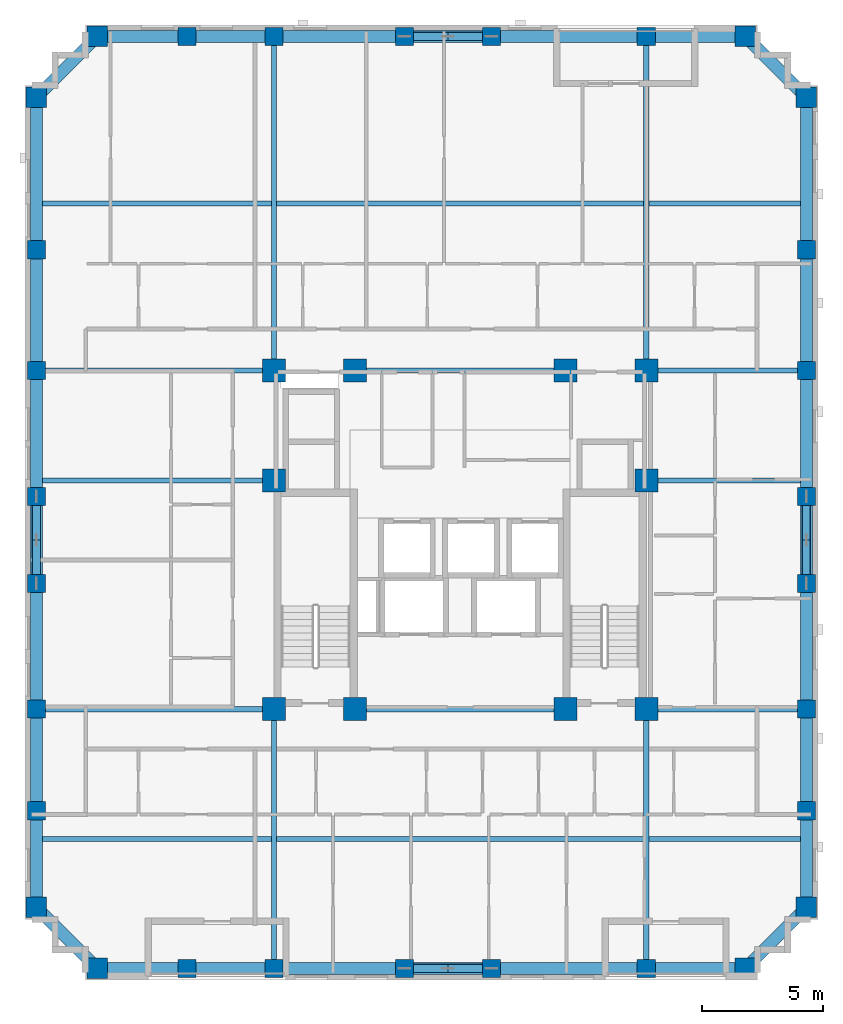
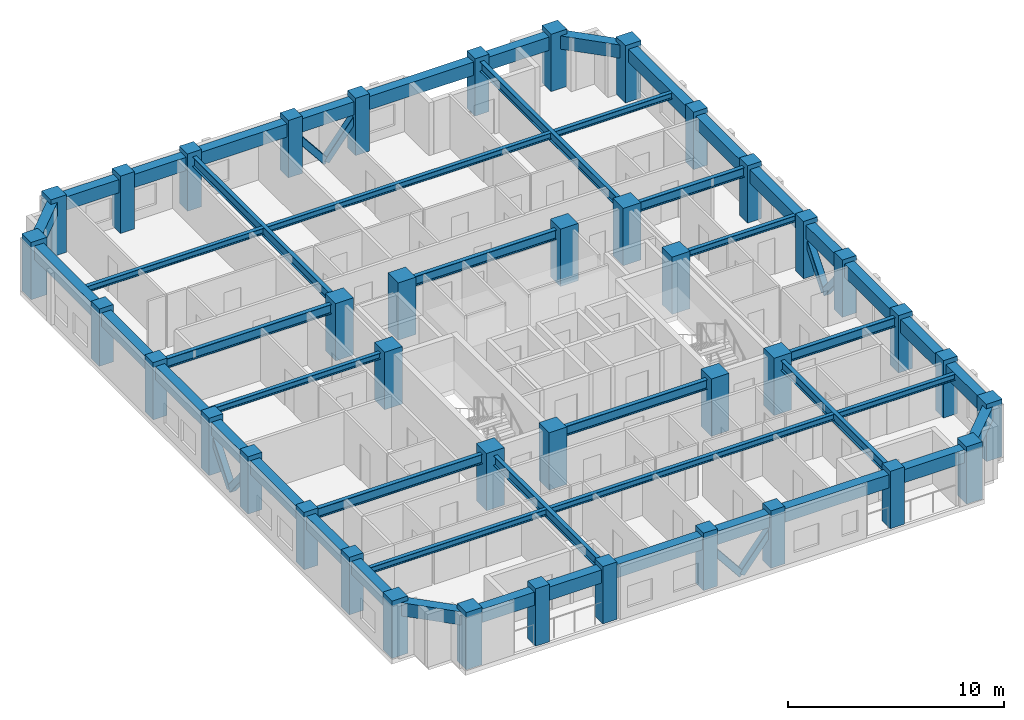
# One storey, part 1 of 11: 48 beams, 40 columns, 8 members.
"""IFC4 building model written with IfcOpenShell, lengths in metres."""

import ifcopenshell
import ifcopenshell.guid

model = None  # the IFC model being written
_history = None  # IfcOwnerHistory: only IFC2X3 demands one
_inside = {}  # id of a spatial element -> (the spatial element, [elements in it])
_under = {}  # id of a project, library or spatial element -> (it, [spatial elements below it])
_declared = {}  # id of a project -> (the project, [libraries it declares])
_typed = {}  # id of a type object -> (the type object, [elements of that type])
_made_of = {}  # id of a material, layer set ... -> (it, [elements and type objects made of it])


def new_model(schema):
    """Start an empty IFC model of exactly this schema.

    Asked for "IFC4X3", IfcOpenShell would pick the latest addendum, in which some entities
    have other attributes; the version numbers below select the first issue.
    IFC2X3 requires an IfcOwnerHistory on every rooted entity: one is made here for all.
    """
    global model, _history
    if schema == "IFC4X3":
        model = ifcopenshell.file(schema_version=(4, 3, 0, 0))
    else:
        model = ifcopenshell.file(schema=schema)
    _inside.clear()
    _under.clear()
    _declared.clear()
    _typed.clear()
    _made_of.clear()
    _history = None
    if model.schema == "IFC2X3":
        org = make("IfcOrganization", Name="unknown")
        user = make(
            "IfcPersonAndOrganization",
            ThePerson=make("IfcPerson", FamilyName="unknown"),
            TheOrganization=org,
        )
        app = make(
            "IfcApplication",
            ApplicationDeveloper=org,
            Version="unknown",
            ApplicationFullName="unknown",
            ApplicationIdentifier="unknown",
        )
        _history = make(
            "IfcOwnerHistory",
            OwningUser=user,
            OwningApplication=app,
            ChangeAction="ADDED",
            CreationDate=0,
        )
    return model


def make(cls, **values):
    """One entity of the class cls with the attributes given. An attribute that is None is left unset."""
    return model.create_entity(
        cls, **{name: value for name, value in values.items() if value is not None}
    )


def rooted(cls, **values):
    """An entity with a GlobalId (a new one), such as an element, a storey or a relation."""
    return make(cls, GlobalId=ifcopenshell.guid.new(), OwnerHistory=_history, **values)


def si_unit(unit_type, name, prefix=None):
    """IfcSIUnit, for example si_unit("LENGTHUNIT", "METRE", prefix="MILLI")."""
    return make("IfcSIUnit", UnitType=unit_type, Prefix=prefix, Name=name)


def derived_unit(unit_type, elements):
    """IfcDerivedUnit: a product of units, each with its exponent."""
    return make(
        "IfcDerivedUnit",
        Elements=[
            make("IfcDerivedUnitElement", Unit=unit, Exponent=power)
            for unit, power in elements
        ],
        UnitType=unit_type,
    )


def assignment(units):
    """IfcUnitAssignment: the units of a project."""
    return None if units is None else make("IfcUnitAssignment", Units=units)


def point(xyz):
    """IfcCartesianPoint."""
    return None if xyz is None else make("IfcCartesianPoint", Coordinates=xyz)


def direction(xyz):
    """IfcDirection."""
    return None if xyz is None else make("IfcDirection", DirectionRatios=xyz)


def frame(location, z_axis=None, x_axis=None):
    """IfcAxis2Placement3D, a coordinate frame: its origin and axes. An axis left out is left unset."""
    return make(
        "IfcAxis2Placement3D",
        Location=point(location),
        Axis=direction(z_axis),
        RefDirection=direction(x_axis),
    )


def frame_2d(location, x_axis=None):
    """IfcAxis2Placement2D, a coordinate frame in the plane: its origin and x axis."""
    return make(
        "IfcAxis2Placement2D", Location=point(location), RefDirection=direction(x_axis)
    )


def origin():
    """The frame at (0, 0, 0) with its axes left unset."""
    return frame((0.0, 0.0, 0.0))


def origin_2d():
    """The frame at (0, 0) in the plane with its x axis left unset."""
    return frame_2d((0.0, 0.0))


def place(relative_to, where):
    """IfcLocalPlacement: puts the frame where relative to a parent placement (None: the world)."""
    return make(
        "IfcLocalPlacement", PlacementRelTo=relative_to, RelativePlacement=where
    )


def context(
    kind, dimensions, precision=None, world=None, true_north=None, identifier=None
):
    """IfcGeometricRepresentationContext, for example the 3D "Model" context."""
    return make(
        "IfcGeometricRepresentationContext",
        ContextIdentifier=identifier,
        ContextType=kind,
        CoordinateSpaceDimension=dimensions,
        Precision=precision,
        WorldCoordinateSystem=world,
        TrueNorth=true_north,
    )


def subcontext(parent, identifier, kind, view, scale=None):
    """IfcGeometricRepresentationSubContext, for example "Body" below "Model"."""
    return make(
        "IfcGeometricRepresentationSubContext",
        ContextIdentifier=identifier,
        ContextType=kind,
        ParentContext=parent,
        TargetScale=scale,
        TargetView=view,
    )


def project(units=None, contexts=None):
    """IfcProject with its units and contexts."""
    return rooted(
        "IfcProject",
        Name="project",
        RepresentationContexts=contexts,
        UnitsInContext=assignment(units),
    )


def spatial(cls, under=None, at=None, **own):
    """A site, building, storey or space (cls), placed at a placement, below another one or the project."""
    s = rooted(cls, ObjectPlacement=at, **own)
    if under is not None:
        _under.setdefault(under.id(), (under, []))[1].append(s)
    return s


def profile(cls, at=None, kind="AREA", **sizes):
    """A parametric profile (cls). Its sizes go by their IFC names, for example OverallWidth=200.0."""
    return make(cls, ProfileType=kind, Position=at, **sizes)


def rectangle(**sizes):
    """IfcRectangleProfileDef."""
    return profile("IfcRectangleProfileDef", **sizes)


def hollow_rectangle(**sizes):
    """IfcRectangleHollowProfileDef."""
    return profile("IfcRectangleHollowProfileDef", **sizes)


def i_section(**sizes):
    """IfcIShapeProfileDef."""
    return profile("IfcIShapeProfileDef", **sizes)


def extrude(swept, where, along, depth):
    """IfcExtrudedAreaSolid: the profile swept, set in the frame where, extruded along a direction by depth."""
    return make(
        "IfcExtrudedAreaSolid",
        SweptArea=swept,
        Position=where,
        ExtrudedDirection=direction(along),
        Depth=depth,
    )


def shape(context_of_items, identifier, shape_type, items):
    """IfcShapeRepresentation: the items that make up one representation, for example the "Body"."""
    return make(
        "IfcShapeRepresentation",
        ContextOfItems=context_of_items,
        RepresentationIdentifier=identifier,
        RepresentationType=shape_type,
        Items=items,
    )


def material(Name=None, Category=None):
    """IfcMaterial."""
    return make("IfcMaterial", Name=Name, Category=Category)


def material_profile(
    of_material, cross_section, Name=None, Category=None, Priority=None
):
    """IfcMaterialProfile: a cross section and its material."""
    return make(
        "IfcMaterialProfile",
        Name=Name,
        Material=of_material,
        Profile=cross_section,
        Priority=Priority,
        Category=Category,
    )


def profile_set(profiles, Name=None, composite=None):
    """IfcMaterialProfileSet."""
    return make(
        "IfcMaterialProfileSet",
        Name=Name,
        MaterialProfiles=profiles,
        CompositeProfile=composite,
    )


def made_of(thing, what):
    """Note that an element or type object is made of a material, layer set ...; save() writes the relation."""
    if what is not None:
        _made_of.setdefault(what.id(), (what, []))[1].append(thing)
    return thing


def type_object(cls, material=None, **own):
    """A type object (cls), such as IfcWallType, which elements share."""
    return made_of(rooted(cls, **own), material)


def element(
    cls,
    number,
    at=None,
    inside=None,
    cuts=None,
    type_object=None,
    material=None,
    context=None,
    identifier="Body",
    shape_type=None,
    held_by="IfcProductDefinitionShape",
    body=None,
    shapes=None,
    **own,
):
    """One element of the class cls, such as IfcWall. Its Tag is "e" and its number.

    at: its placement. inside: the storey or other place that contains it. cuts: it is an
    opening in that element (IfcRelVoidsElement). A single representation is given by context,
    identifier, shape_type and body (its items); several are given by shapes. held_by: the class
    of the entity that holds the representations. save() writes the other relations.
    """
    e = rooted(cls, Tag="e%d" % number, ObjectPlacement=at, **own)
    if body is not None:
        shapes = [shape(context, identifier, shape_type, body)]
    if shapes is not None:
        e.Representation = make(held_by, Representations=shapes)
    if inside is not None:
        _inside.setdefault(inside.id(), (inside, []))[1].append(e)
    if cuts is not None:
        rooted(
            "IfcRelVoidsElement", RelatingBuildingElement=cuts, RelatedOpeningElement=e
        )
    if type_object is not None:
        _typed.setdefault(type_object.id(), (type_object, []))[1].append(e)
    return made_of(e, material)


def aggregate(whole, parts):
    """IfcRelAggregates: a whole, such as a stair, and the parts it consists of."""
    return rooted("IfcRelAggregates", RelatingObject=whole, RelatedObjects=parts)


def save(model, path):
    """Write the relations noted so far, then the file.

    IfcRelAggregates (storeys below a building ...), IfcRelContainedInSpatialStructure (elements
    in a storey), IfcRelDefinesByType, IfcRelAssociatesMaterial and IfcRelDeclares: one each for
    every whole, place, type object, material and project.
    """
    for whole, parts in _under.values():
        aggregate(whole, parts)
    for where, things in _inside.values():
        rooted(
            "IfcRelContainedInSpatialStructure",
            RelatedElements=things,
            RelatingStructure=where,
        )
    for kind, things in _typed.values():
        rooted("IfcRelDefinesByType", RelatedObjects=things, RelatingType=kind)
    for what, things in _made_of.values():
        rooted("IfcRelAssociatesMaterial", RelatedObjects=things, RelatingMaterial=what)
    for by, libraries in _declared.values():
        rooted("IfcRelDeclares", RelatingContext=by, RelatedDefinitions=libraries)
    model.write(path)


model = new_model("IFC4")

# Units and contexts
model_context = context("Model", 3, precision=1e-05, world=origin(), true_north=direction((0.0, 1.0)))
body_context = subcontext(model_context, "Body", "Model", "MODEL_VIEW")
ifc_project = project(units=[si_unit("LENGTHUNIT", "METRE"), si_unit("AREAUNIT", "SQUARE_METRE"), si_unit("VOLUMEUNIT", "CUBIC_METRE"), si_unit("PLANEANGLEUNIT", "RADIAN"), si_unit("MASSUNIT", "GRAM", prefix="KILO"), derived_unit("THERMALTRANSMITTANCEUNIT", [(si_unit("MASSUNIT", "GRAM", prefix="KILO"), 1), (si_unit("TIMEUNIT", "SECOND"), -3), (si_unit("THERMODYNAMICTEMPERATUREUNIT", "KELVIN"), -1)])], contexts=[model_context])

# Site, building, storey
site_placement = place(None, origin())
site = spatial("IfcSite", under=ifc_project, at=site_placement, CompositionType="ELEMENT")
building_placement = place(site_placement, origin())
building = spatial("IfcBuilding", under=site, at=building_placement, Name="Korrvale Station Residences", CompositionType="ELEMENT")
storey_placement = place(building_placement, frame((0.0, 0.0, 143.89990234375)))
storey = spatial("IfcBuildingStorey", under=building, at=storey_placement, Name="L41", CompositionType="ELEMENT", Elevation=143.89990234375)

# Columns
ifc_material_1 = material(Name="Concrete C60/75", Category="concrete")
ifc_material_profile_1 = material_profile(ifc_material_1, rectangle(XDim=0.75, YDim=0.75, at=origin_2d()), Name="RC750x750")
ifc_profile_set_1 = profile_set([ifc_material_profile_1], Name="Concrete C60/75")
column_type_1 = type_object("IfcColumnType", Name="COL-C-RC750x750-C6075", PredefinedType="COLUMN", material=ifc_profile_set_1)
for number, where, z_axis, x_axis, name in (
    (1, (14.199951171875, 4.280029296875, 0.0), (0.0, 0.0, 1.0), (1.0, 0.0, 0.0), "L41 Bundled-Tube South Column 02"),
    (2, (17.800048828125, 4.280029296875, 0.0), (0.0, 0.0, 1.0), (1.0, 0.0, 0.0), "L41 Bundled-Tube South Column 03"),
    (3, (23.199951171875, 4.280029296875, 0.0), (0.0, 0.0, 1.0), (1.0, 0.0, 0.0), "L41 Bundled-Tube South Column 04"),
    (4, (26.800048828125, 4.280029296875, 0.0), (0.0, 0.0, 1.0), (1.0, 0.0, 0.0), "L41 Bundled-Tube South Column 05"),
    (5, (33.199951171875, 4.280029296875, 0.0), (0.0, 0.0, 1.0), (1.0, 0.0, 0.0), "L41 Bundled-Tube South Column 06"),
    (6, (14.199951171875, 42.820068359375, 0.0), (0.0, 0.0, 1.0), (1.0, 0.0, 0.0), "L41 Bundled-Tube North Column 09"),
    (7, (17.800048828125, 42.820068359375, 0.0), (0.0, 0.0, 1.0), (1.0, 0.0, 0.0), "L41 Bundled-Tube North Column 10"),
    (8, (23.199951171875, 42.820068359375, 0.0), (0.0, 0.0, 1.0), (1.0, 0.0, 0.0), "L41 Bundled-Tube North Column 11"),
    (9, (26.800048828125, 42.820068359375, 0.0), (0.0, 0.0, 1.0), (1.0, 0.0, 0.0), "L41 Bundled-Tube North Column 12"),
    (10, (33.199951171875, 42.820068359375, 0.0), (0.0, 0.0, 1.0), (1.0, 0.0, 0.0), "L41 Bundled-Tube North Column 13"),
    (11, (7.97998046875, 10.800048828125, 0.0), (0.0, 0.0, 1.0), (1.0, 0.0, 0.0), "L41 Bundled-Tube West Column 16"),
    (12, (7.97998046875, 15.0, 0.0), (0.0, 0.0, 1.0), (1.0, 0.0, 0.0), "L41 Bundled-Tube West Column 17"),
    (13, (7.97998046875, 20.199951171875, 0.0), (0.0, 0.0, 1.0), (1.0, 0.0, 0.0), "L41 Bundled-Tube West Column 18"),
    (14, (7.97998046875, 23.800048828125, 0.0), (0.0, 0.0, 1.0), (1.0, 0.0, 0.0), "L41 Bundled-Tube West Column 19"),
    (15, (7.97998046875, 29.0, 0.0), (0.0, 0.0, 1.0), (1.0, 0.0, 0.0), "L41 Bundled-Tube West Column 20"),
    (16, (7.97998046875, 34.0, 0.0), (0.0, 0.0, 1.0), (1.0, 0.0, 0.0), "L41 Bundled-Tube West Column 21"),
    (17, (39.820068359375, 10.800048828125, 0.0), (0.0, 0.0, 1.0), (1.0, 0.0, 0.0), "L41 Bundled-Tube East Column 24"),
    (18, (39.820068359375, 15.0, 0.0), (0.0, 0.0, 1.0), (1.0, 0.0, 0.0), "L41 Bundled-Tube East Column 25"),
    (19, (39.820068359375, 20.199951171875, 0.0), (0.0, 0.0, 1.0), (1.0, 0.0, 0.0), "L41 Bundled-Tube East Column 26"),
    (20, (39.820068359375, 23.800048828125, 0.0), (0.0, 0.0, 1.0), (1.0, 0.0, 0.0), "L41 Bundled-Tube East Column 27"),
    (21, (39.820068359375, 29.0, 0.0), (0.0, 0.0, 1.0), (1.0, 0.0, 0.0), "L41 Bundled-Tube East Column 28"),
    (22, (39.820068359375, 34.0, 0.0), (0.0, 0.0, 1.0), (1.0, 0.0, 0.0), "L41 Bundled-Tube East Column 29"),
):
    element("IfcColumn", number, at=place(storey_placement, frame(where, z_axis=z_axis, x_axis=x_axis)), inside=storey, type_object=column_type_1, Name=name, PredefinedType="COLUMN", context=body_context, shape_type="SweptSolid", body=[
        extrude(rectangle(XDim=0.75, YDim=0.75, at=origin_2d()), origin(), (0.0, 0.0, 1.0), 3.25),
    ])
ifc_material_profile_2 = material_profile(ifc_material_1, rectangle(XDim=0.85009765625, YDim=0.85009765625, at=origin_2d()), Name="RC850x850")
ifc_profile_set_2 = profile_set([ifc_material_profile_2], Name="Concrete C60/75")
column_type_2 = type_object("IfcColumnType", Name="COL-C-RC850x850-C6075", PredefinedType="COLUMN", material=ifc_profile_set_2)
for number, where, z_axis, x_axis, name in (
    (23, (10.5, 4.280029296875, 0.0), (0.0, 0.0, 1.0), (1.0, 0.0, 0.0), "L41 Bundled-Tube South Column 01"),
    (24, (37.300048828125, 4.280029296875, 0.0), (0.0, 0.0, 1.0), (1.0, 0.0, 0.0), "L41 Bundled-Tube South Column 07"),
    (25, (10.5, 42.820068359375, 0.0), (0.0, 0.0, 1.0), (1.0, 0.0, 0.0), "L41 Bundled-Tube North Column 08"),
    (26, (37.300048828125, 42.820068359375, 0.0), (0.0, 0.0, 1.0), (1.0, 0.0, 0.0), "L41 Bundled-Tube North Column 14"),
    (27, (7.97998046875, 6.800048828125, 0.0), (0.0, 0.0, 1.0), (1.0, 0.0, 0.0), "L41 Bundled-Tube West Column 15"),
    (28, (7.97998046875, 40.300048828125, 0.0), (0.0, 0.0, 1.0), (1.0, 0.0, 0.0), "L41 Bundled-Tube West Column 22"),
    (29, (39.820068359375, 6.800048828125, 0.0), (0.0, 0.0, 1.0), (1.0, 0.0, 0.0), "L41 Bundled-Tube East Column 23"),
    (30, (39.820068359375, 40.300048828125, 0.0), (0.0, 0.0, 1.0), (1.0, 0.0, 0.0), "L41 Bundled-Tube East Column 30"),
):
    element("IfcColumn", number, at=place(storey_placement, frame(where, z_axis=z_axis, x_axis=x_axis)), inside=storey, type_object=column_type_2, Name=name, PredefinedType="COLUMN", context=body_context, shape_type="SweptSolid", body=[
        extrude(rectangle(XDim=0.85009765625, YDim=0.85009765625, at=origin_2d()), origin(), (0.0, 0.0, 1.0), 3.25),
    ])
ifc_material_profile_3 = material_profile(ifc_material_1, rectangle(XDim=0.949951171875, YDim=0.949951171875, at=origin_2d()), Name="RC950x950")
ifc_profile_set_3 = profile_set([ifc_material_profile_3], Name="Concrete C60/75")
column_type_3 = type_object("IfcColumnType", Name="COL-C-RC950x950-C6075", PredefinedType="COLUMN", material=ifc_profile_set_3)
for number, where, z_axis, x_axis, name in (
    (31, (17.800048828125, 15.0, 0.0), (0.0, 0.0, 1.0), (1.0, 0.0, 0.0), "L41 Core Column 01"),
    (32, (21.14990234375, 15.0, 0.0), (0.0, 0.0, 1.0), (1.0, 0.0, 0.0), "L41 Core Column 02"),
    (33, (29.85009765625, 15.0, 0.0), (0.0, 0.0, 1.0), (1.0, 0.0, 0.0), "L41 Core Column 03"),
    (34, (33.199951171875, 15.0, 0.0), (0.0, 0.0, 1.0), (1.0, 0.0, 0.0), "L41 Core Column 04"),
    (35, (17.800048828125, 29.0, 0.0), (0.0, 0.0, 1.0), (1.0, 0.0, 0.0), "L41 Core Column 05"),
    (36, (21.14990234375, 29.0, 0.0), (0.0, 0.0, 1.0), (1.0, 0.0, 0.0), "L41 Core Column 06"),
    (37, (29.85009765625, 29.0, 0.0), (0.0, 0.0, 1.0), (1.0, 0.0, 0.0), "L41 Core Column 07"),
    (38, (33.199951171875, 29.0, 0.0), (0.0, 0.0, 1.0), (1.0, 0.0, 0.0), "L41 Core Column 08"),
    (39, (17.800048828125, 24.449951171875, 0.0), (0.0, 0.0, 1.0), (1.0, 0.0, 0.0), "L41 Core Column 09"),
    (40, (33.199951171875, 24.449951171875, 0.0), (0.0, 0.0, 1.0), (1.0, 0.0, 0.0), "L41 Core Column 10"),
):
    element("IfcColumn", number, at=place(storey_placement, frame(where, z_axis=z_axis, x_axis=x_axis)), inside=storey, type_object=column_type_3, Name=name, PredefinedType="COLUMN", context=body_context, shape_type="SweptSolid", body=[
        extrude(rectangle(XDim=0.949951171875, YDim=0.949951171875, at=origin_2d()), origin(), (0.0, 0.0, 1.0), 3.25),
    ])

# Beams
ifc_material_2 = material(Name="Steel S355", Category="steel")
ifc_material_profile_4 = material_profile(ifc_material_2, i_section(OverallWidth=0.214111328125, OverallDepth=0.549072265625, WebThickness=0.0146484375, FlangeThickness=0.023681640625, FilletRadius=0.01806640625, at=origin_2d()), Name="W530x138")
ifc_profile_set_4 = profile_set([ifc_material_profile_4], Name="Steel S355")
beam_type_1 = type_object("IfcBeamType", Name="BM-BM-W530x138-S355", PredefinedType="BEAM", material=ifc_profile_set_4)
for number, where, z_axis, x_axis, name in (
    (41, (17.800048828125, 4.280029296875, 2.715576171875), (0.0, 1.0, 0.0), (-1.0, 0.0, 0.0), "L41 Bundled-Tube Web Girder 01"),
    (42, (33.199951171875, 4.280029296875, 2.715576171875), (0.0, 1.0, 0.0), (-1.0, 0.0, 0.0), "L41 Bundled-Tube Web Girder 02"),
):
    element("IfcBeam", number, at=place(storey_placement, frame(where, z_axis=z_axis, x_axis=x_axis)), inside=storey, type_object=beam_type_1, Name=name, PredefinedType="BEAM", context=body_context, shape_type="SweptSolid", body=[
        extrude(i_section(OverallWidth=0.214111328125, OverallDepth=0.549072265625, WebThickness=0.0146484375, FlangeThickness=0.023681640625, FilletRadius=0.01806640625, at=origin_2d()), origin(), (0.0, 0.0, 1.0), 10.719970703125),
    ])
for number, where, z_axis, x_axis, name in (
    (43, (17.800048828125, 29.0, 2.715576171875), (0.0, 1.0, 0.0), (-1.0, 0.0, 0.0), "L41 Bundled-Tube Web Girder 03"),
    (44, (33.199951171875, 29.0, 2.715576171875), (0.0, 1.0, 0.0), (-1.0, 0.0, 0.0), "L41 Bundled-Tube Web Girder 04"),
):
    element("IfcBeam", number, at=place(storey_placement, frame(where, z_axis=z_axis, x_axis=x_axis)), inside=storey, type_object=beam_type_1, Name=name, PredefinedType="BEAM", context=body_context, shape_type="SweptSolid", body=[
        extrude(i_section(OverallWidth=0.214111328125, OverallDepth=0.549072265625, WebThickness=0.0146484375, FlangeThickness=0.023681640625, FilletRadius=0.01806640625, at=origin_2d()), origin(), (0.0, 0.0, 1.0), 13.820068359375),
    ])
beam_1_placement = place(storey_placement, frame((7.97998046875, 15.0, 2.715576171875), z_axis=(1.0, 0.0, 0.0), x_axis=(0.0, 1.0, 0.0)))
element("IfcBeam", 45, at=beam_1_placement, inside=storey, type_object=beam_type_1, Name="L41 Bundled-Tube Web Girder 05", PredefinedType="BEAM", context=body_context, shape_type="SweptSolid", body=[
    extrude(i_section(OverallWidth=0.214111328125, OverallDepth=0.549072265625, WebThickness=0.0146484375, FlangeThickness=0.023681640625, FilletRadius=0.01806640625, at=origin_2d()), origin(), (0.0, 0.0, 1.0), 9.820068359375),
])
beam_2_placement = place(storey_placement, frame((33.199951171875, 15.0, 2.715576171875), z_axis=(1.0, 0.0, 0.0), x_axis=(0.0, 1.0, 0.0)))
element("IfcBeam", 46, at=beam_2_placement, inside=storey, type_object=beam_type_1, Name="L41 Bundled-Tube Web Girder 06", PredefinedType="BEAM", context=body_context, shape_type="SweptSolid", body=[
    extrude(i_section(OverallWidth=0.214111328125, OverallDepth=0.549072265625, WebThickness=0.0146484375, FlangeThickness=0.023681640625, FilletRadius=0.01806640625, at=origin_2d()), origin(), (0.0, 0.0, 1.0), 6.6201171875),
])
beam_3_placement = place(storey_placement, frame((7.97998046875, 29.0, 2.715576171875), z_axis=(1.0, 0.0, 0.0), x_axis=(0.0, 1.0, 0.0)))
element("IfcBeam", 47, at=beam_3_placement, inside=storey, type_object=beam_type_1, Name="L41 Bundled-Tube Web Girder 07", PredefinedType="BEAM", context=body_context, shape_type="SweptSolid", body=[
    extrude(i_section(OverallWidth=0.214111328125, OverallDepth=0.549072265625, WebThickness=0.0146484375, FlangeThickness=0.023681640625, FilletRadius=0.01806640625, at=origin_2d()), origin(), (0.0, 0.0, 1.0), 9.820068359375),
])
beam_4_placement = place(storey_placement, frame((33.199951171875, 29.0, 2.715576171875), z_axis=(1.0, 0.0, 0.0), x_axis=(0.0, 1.0, 0.0)))
element("IfcBeam", 48, at=beam_4_placement, inside=storey, type_object=beam_type_1, Name="L41 Bundled-Tube Web Girder 08", PredefinedType="BEAM", context=body_context, shape_type="SweptSolid", body=[
    extrude(i_section(OverallWidth=0.214111328125, OverallDepth=0.549072265625, WebThickness=0.0146484375, FlangeThickness=0.023681640625, FilletRadius=0.01806640625, at=origin_2d()), origin(), (0.0, 0.0, 1.0), 6.6201171875),
])
for number, where, z_axis, x_axis, name in (
    (49, (21.14990234375, 15.0, 2.715576171875), (1.0, 0.0, 0.0), (0.0, 1.0, 0.0), "L41 Bundled-Tube Web Girder 09"),
    (50, (21.14990234375, 29.0, 2.715576171875), (1.0, 0.0, 0.0), (0.0, 1.0, 0.0), "L41 Bundled-Tube Web Girder 10"),
):
    element("IfcBeam", number, at=place(storey_placement, frame(where, z_axis=z_axis, x_axis=x_axis)), inside=storey, type_object=beam_type_1, Name=name, PredefinedType="BEAM", context=body_context, shape_type="SweptSolid", body=[
        extrude(i_section(OverallWidth=0.214111328125, OverallDepth=0.549072265625, WebThickness=0.0146484375, FlangeThickness=0.023681640625, FilletRadius=0.01806640625, at=origin_2d()), origin(), (0.0, 0.0, 1.0), 8.7001953125),
    ])
ifc_material_profile_5 = material_profile(ifc_material_2, i_section(OverallWidth=0.205078125, OverallDepth=0.35400390625, WebThickness=0.009521484375, FlangeThickness=0.016845703125, FilletRadius=0.014892578125, at=origin_2d()), Name="W360x79")
ifc_profile_set_5 = profile_set([ifc_material_profile_5], Name="Steel S355")
beam_type_2 = type_object("IfcBeamType", Name="BM-JST-W360x79-S355", PredefinedType="JOIST", material=ifc_profile_set_5)
beam_5_placement = place(storey_placement, frame((8.22998046875, 9.639892578125, 2.81298828125), z_axis=(1.0, 0.0, 0.0), x_axis=(0.0, 1.0, 0.0)))
element("IfcBeam", 51, at=beam_5_placement, inside=storey, type_object=beam_type_2, Name="L41 Floor Framing Joist 01", PredefinedType="JOIST", context=body_context, shape_type="SweptSolid", body=[
    extrude(i_section(OverallWidth=0.205078125, OverallDepth=0.35400390625, WebThickness=0.009521484375, FlangeThickness=0.016845703125, FilletRadius=0.014892578125, at=origin_2d()), origin(), (0.0, 0.0, 1.0), 9.463134765625),
])
beam_6_placement = place(storey_placement, frame((17.906982421875, 9.639892578125, 2.81298828125), z_axis=(1.0, 0.0, 0.0), x_axis=(0.0, 1.0, 0.0)))
element("IfcBeam", 52, at=beam_6_placement, inside=storey, type_object=beam_type_2, Name="L41 Floor Framing Joist 02", PredefinedType="JOIST", context=body_context, shape_type="SweptSolid", body=[
    extrude(i_section(OverallWidth=0.205078125, OverallDepth=0.35400390625, WebThickness=0.009521484375, FlangeThickness=0.016845703125, FilletRadius=0.014892578125, at=origin_2d()), origin(), (0.0, 0.0, 1.0), 15.18603515625),
])
beam_7_placement = place(storey_placement, frame((33.306884765625, 9.639892578125, 2.81298828125), z_axis=(1.0, 0.0, 0.0), x_axis=(0.0, 1.0, 0.0)))
element("IfcBeam", 53, at=beam_7_placement, inside=storey, type_object=beam_type_2, Name="L41 Floor Framing Joist 03", PredefinedType="JOIST", context=body_context, shape_type="SweptSolid", body=[
    extrude(i_section(OverallWidth=0.205078125, OverallDepth=0.35400390625, WebThickness=0.009521484375, FlangeThickness=0.016845703125, FilletRadius=0.014892578125, at=origin_2d()), origin(), (0.0, 0.0, 1.0), 6.26318359375),
])
beam_8_placement = place(storey_placement, frame((8.22998046875, 35.909912109375, 2.81298828125), z_axis=(1.0, 0.0, 0.0), x_axis=(0.0, 1.0, 0.0)))
element("IfcBeam", 54, at=beam_8_placement, inside=storey, type_object=beam_type_2, Name="L41 Floor Framing Joist 04", PredefinedType="JOIST", context=body_context, shape_type="SweptSolid", body=[
    extrude(i_section(OverallWidth=0.205078125, OverallDepth=0.35400390625, WebThickness=0.009521484375, FlangeThickness=0.016845703125, FilletRadius=0.014892578125, at=origin_2d()), origin(), (0.0, 0.0, 1.0), 9.463134765625),
])
beam_9_placement = place(storey_placement, frame((17.906982421875, 35.909912109375, 2.81298828125), z_axis=(1.0, 0.0, 0.0), x_axis=(0.0, 1.0, 0.0)))
element("IfcBeam", 55, at=beam_9_placement, inside=storey, type_object=beam_type_2, Name="L41 Floor Framing Joist 05", PredefinedType="JOIST", context=body_context, shape_type="SweptSolid", body=[
    extrude(i_section(OverallWidth=0.205078125, OverallDepth=0.35400390625, WebThickness=0.009521484375, FlangeThickness=0.016845703125, FilletRadius=0.014892578125, at=origin_2d()), origin(), (0.0, 0.0, 1.0), 15.18603515625),
])
beam_10_placement = place(storey_placement, frame((33.306884765625, 35.909912109375, 2.81298828125), z_axis=(1.0, 0.0, 0.0), x_axis=(0.0, 1.0, 0.0)))
element("IfcBeam", 56, at=beam_10_placement, inside=storey, type_object=beam_type_2, Name="L41 Floor Framing Joist 06", PredefinedType="JOIST", context=body_context, shape_type="SweptSolid", body=[
    extrude(i_section(OverallWidth=0.205078125, OverallDepth=0.35400390625, WebThickness=0.009521484375, FlangeThickness=0.016845703125, FilletRadius=0.014892578125, at=origin_2d()), origin(), (0.0, 0.0, 1.0), 6.26318359375),
])
beam_11_placement = place(storey_placement, frame((33.199951171875, 24.449951171875, 2.81298828125), z_axis=(1.0, 0.0, 0.0), x_axis=(0.0, 1.0, 0.0)))
element("IfcBeam", 57, at=beam_11_placement, inside=storey, type_object=beam_type_2, Name="L41 Floor Framing Joist 07", PredefinedType="JOIST", context=body_context, shape_type="SweptSolid", body=[
    extrude(i_section(OverallWidth=0.205078125, OverallDepth=0.35400390625, WebThickness=0.009521484375, FlangeThickness=0.016845703125, FilletRadius=0.014892578125, at=origin_2d()), origin(), (0.0, 0.0, 1.0), 6.3701171875),
])
beam_12_placement = place(storey_placement, frame((8.22998046875, 24.449951171875, 2.81298828125), z_axis=(1.0, 0.0, 0.0), x_axis=(0.0, 1.0, 0.0)))
element("IfcBeam", 58, at=beam_12_placement, inside=storey, type_object=beam_type_2, Name="L41 Floor Framing Joist 08", PredefinedType="JOIST", context=body_context, shape_type="SweptSolid", body=[
    extrude(i_section(OverallWidth=0.205078125, OverallDepth=0.35400390625, WebThickness=0.009521484375, FlangeThickness=0.016845703125, FilletRadius=0.014892578125, at=origin_2d()), origin(), (0.0, 0.0, 1.0), 9.570068359375),
])
ifc_material_profile_6 = material_profile(ifc_material_1, rectangle(XDim=0.5, YDim=0.75, at=origin_2d()), Name="RCB500x750")
ifc_profile_set_6 = profile_set([ifc_material_profile_6], Name="Concrete C60/75")
beam_type_3 = type_object("IfcBeamType", Name="BM-SPB-RCB500x750-C6075", PredefinedType="SPANDREL", material=ifc_profile_set_6)
beam_13_placement = place(storey_placement, frame((10.5, 4.280029296875, 2.614990234375), z_axis=(1.0, 0.0, 0.0), x_axis=(0.0, 1.0, 0.0)))
element("IfcBeam", 59, at=beam_13_placement, inside=storey, type_object=beam_type_3, Name="L41 South Tube Spandrel 01", PredefinedType="SPANDREL", context=body_context, shape_type="SweptSolid", body=[
    extrude(rectangle(XDim=0.5, YDim=0.75, at=origin_2d()), origin(), (0.0, 0.0, 1.0), 3.699951171875),
])
beam_14_placement = place(storey_placement, frame((14.199951171875, 4.280029296875, 2.614990234375), z_axis=(1.0, 0.0, 0.0), x_axis=(0.0, 1.0, 0.0)))
element("IfcBeam", 60, at=beam_14_placement, inside=storey, type_object=beam_type_3, Name="L41 South Tube Spandrel 02", PredefinedType="SPANDREL", context=body_context, shape_type="SweptSolid", body=[
    extrude(rectangle(XDim=0.5, YDim=0.75, at=origin_2d()), origin(), (0.0, 0.0, 1.0), 3.60009765625),
])
beam_15_placement = place(storey_placement, frame((17.800048828125, 4.280029296875, 2.614990234375), z_axis=(1.0, 0.0, 0.0), x_axis=(0.0, 1.0, 0.0)))
element("IfcBeam", 61, at=beam_15_placement, inside=storey, type_object=beam_type_3, Name="L41 South Tube Spandrel 03", PredefinedType="SPANDREL", context=body_context, shape_type="SweptSolid", body=[
    extrude(rectangle(XDim=0.5, YDim=0.75, at=origin_2d()), origin(), (0.0, 0.0, 1.0), 5.39990234375),
])
beam_16_placement = place(storey_placement, frame((23.199951171875, 4.280029296875, 2.614990234375), z_axis=(1.0, 0.0, 0.0), x_axis=(0.0, 1.0, 0.0)))
element("IfcBeam", 62, at=beam_16_placement, inside=storey, type_object=beam_type_3, Name="L41 South Tube Spandrel 04", PredefinedType="SPANDREL", context=body_context, shape_type="SweptSolid", body=[
    extrude(rectangle(XDim=0.5, YDim=0.75, at=origin_2d()), origin(), (0.0, 0.0, 1.0), 3.60009765625),
])
beam_17_placement = place(storey_placement, frame((26.800048828125, 4.280029296875, 2.614990234375), z_axis=(1.0, 0.0, 0.0), x_axis=(0.0, 1.0, 0.0)))
element("IfcBeam", 63, at=beam_17_placement, inside=storey, type_object=beam_type_3, Name="L41 South Tube Spandrel 05", PredefinedType="SPANDREL", context=body_context, shape_type="SweptSolid", body=[
    extrude(rectangle(XDim=0.5, YDim=0.75, at=origin_2d()), origin(), (0.0, 0.0, 1.0), 6.39990234375),
])
beam_18_placement = place(storey_placement, frame((33.199951171875, 4.280029296875, 2.614990234375), z_axis=(1.0, 0.0, 0.0), x_axis=(0.0, 1.0, 0.0)))
element("IfcBeam", 64, at=beam_18_placement, inside=storey, type_object=beam_type_3, Name="L41 South Tube Spandrel 06", PredefinedType="SPANDREL", context=body_context, shape_type="SweptSolid", body=[
    extrude(rectangle(XDim=0.5, YDim=0.75, at=origin_2d()), origin(), (0.0, 0.0, 1.0), 4.10009765625),
])
beam_19_placement = place(storey_placement, frame((10.5, 42.820068359375, 2.614990234375), z_axis=(1.0, 0.0, 0.0), x_axis=(0.0, 1.0, 0.0)))
element("IfcBeam", 65, at=beam_19_placement, inside=storey, type_object=beam_type_3, Name="L41 North Tube Spandrel 07", PredefinedType="SPANDREL", context=body_context, shape_type="SweptSolid", body=[
    extrude(rectangle(XDim=0.5, YDim=0.75, at=origin_2d()), origin(), (0.0, 0.0, 1.0), 3.699951171875),
])
beam_20_placement = place(storey_placement, frame((14.199951171875, 42.820068359375, 2.614990234375), z_axis=(1.0, 0.0, 0.0), x_axis=(0.0, 1.0, 0.0)))
element("IfcBeam", 66, at=beam_20_placement, inside=storey, type_object=beam_type_3, Name="L41 North Tube Spandrel 08", PredefinedType="SPANDREL", context=body_context, shape_type="SweptSolid", body=[
    extrude(rectangle(XDim=0.5, YDim=0.75, at=origin_2d()), origin(), (0.0, 0.0, 1.0), 3.60009765625),
])
beam_21_placement = place(storey_placement, frame((17.800048828125, 42.820068359375, 2.614990234375), z_axis=(1.0, 0.0, 0.0), x_axis=(0.0, 1.0, 0.0)))
element("IfcBeam", 67, at=beam_21_placement, inside=storey, type_object=beam_type_3, Name="L41 North Tube Spandrel 09", PredefinedType="SPANDREL", context=body_context, shape_type="SweptSolid", body=[
    extrude(rectangle(XDim=0.5, YDim=0.75, at=origin_2d()), origin(), (0.0, 0.0, 1.0), 5.39990234375),
])
beam_22_placement = place(storey_placement, frame((23.199951171875, 42.820068359375, 2.614990234375), z_axis=(1.0, 0.0, 0.0), x_axis=(0.0, 1.0, 0.0)))
element("IfcBeam", 68, at=beam_22_placement, inside=storey, type_object=beam_type_3, Name="L41 North Tube Spandrel 10", PredefinedType="SPANDREL", context=body_context, shape_type="SweptSolid", body=[
    extrude(rectangle(XDim=0.5, YDim=0.75, at=origin_2d()), origin(), (0.0, 0.0, 1.0), 3.60009765625),
])
beam_23_placement = place(storey_placement, frame((26.800048828125, 42.820068359375, 2.614990234375), z_axis=(1.0, 0.0, 0.0), x_axis=(0.0, 1.0, 0.0)))
element("IfcBeam", 69, at=beam_23_placement, inside=storey, type_object=beam_type_3, Name="L41 North Tube Spandrel 11", PredefinedType="SPANDREL", context=body_context, shape_type="SweptSolid", body=[
    extrude(rectangle(XDim=0.5, YDim=0.75, at=origin_2d()), origin(), (0.0, 0.0, 1.0), 6.39990234375),
])
beam_24_placement = place(storey_placement, frame((33.199951171875, 42.820068359375, 2.614990234375), z_axis=(1.0, 0.0, 0.0), x_axis=(0.0, 1.0, 0.0)))
element("IfcBeam", 70, at=beam_24_placement, inside=storey, type_object=beam_type_3, Name="L41 North Tube Spandrel 12", PredefinedType="SPANDREL", context=body_context, shape_type="SweptSolid", body=[
    extrude(rectangle(XDim=0.5, YDim=0.75, at=origin_2d()), origin(), (0.0, 0.0, 1.0), 4.10009765625),
])
beam_25_placement = place(storey_placement, frame((7.97998046875, 6.800048828125, 2.614990234375), z_axis=(0.0, 1.0, 0.0), x_axis=(-1.0, 0.0, 0.0)))
element("IfcBeam", 71, at=beam_25_placement, inside=storey, type_object=beam_type_3, Name="L41 West Tube Spandrel 13", PredefinedType="SPANDREL", context=body_context, shape_type="SweptSolid", body=[
    extrude(rectangle(XDim=0.5, YDim=0.75, at=origin_2d()), origin(), (0.0, 0.0, 1.0), 4.0),
])
beam_26_placement = place(storey_placement, frame((7.97998046875, 10.800048828125, 2.614990234375), z_axis=(0.0, 1.0, 0.0), x_axis=(-1.0, 0.0, 0.0)))
element("IfcBeam", 72, at=beam_26_placement, inside=storey, type_object=beam_type_3, Name="L41 West Tube Spandrel 14", PredefinedType="SPANDREL", context=body_context, shape_type="SweptSolid", body=[
    extrude(rectangle(XDim=0.5, YDim=0.75, at=origin_2d()), origin(), (0.0, 0.0, 1.0), 4.199951171875),
])
beam_27_placement = place(storey_placement, frame((7.97998046875, 15.0, 2.614990234375), z_axis=(0.0, 1.0, 0.0), x_axis=(-1.0, 0.0, 0.0)))
element("IfcBeam", 73, at=beam_27_placement, inside=storey, type_object=beam_type_3, Name="L41 West Tube Spandrel 15", PredefinedType="SPANDREL", context=body_context, shape_type="SweptSolid", body=[
    extrude(rectangle(XDim=0.5, YDim=0.75, at=origin_2d()), origin(), (0.0, 0.0, 1.0), 5.199951171875),
])
beam_28_placement = place(storey_placement, frame((7.97998046875, 20.199951171875, 2.614990234375), z_axis=(0.0, 1.0, 0.0), x_axis=(-1.0, 0.0, 0.0)))
element("IfcBeam", 74, at=beam_28_placement, inside=storey, type_object=beam_type_3, Name="L41 West Tube Spandrel 16", PredefinedType="SPANDREL", context=body_context, shape_type="SweptSolid", body=[
    extrude(rectangle(XDim=0.5, YDim=0.75, at=origin_2d()), origin(), (0.0, 0.0, 1.0), 3.60009765625),
])
beam_29_placement = place(storey_placement, frame((7.97998046875, 23.800048828125, 2.614990234375), z_axis=(0.0, 1.0, 0.0), x_axis=(-1.0, 0.0, 0.0)))
element("IfcBeam", 75, at=beam_29_placement, inside=storey, type_object=beam_type_3, Name="L41 West Tube Spandrel 17", PredefinedType="SPANDREL", context=body_context, shape_type="SweptSolid", body=[
    extrude(rectangle(XDim=0.5, YDim=0.75, at=origin_2d()), origin(), (0.0, 0.0, 1.0), 5.199951171875),
])
beam_30_placement = place(storey_placement, frame((7.97998046875, 29.0, 2.614990234375), z_axis=(0.0, 1.0, 0.0), x_axis=(-1.0, 0.0, 0.0)))
element("IfcBeam", 76, at=beam_30_placement, inside=storey, type_object=beam_type_3, Name="L41 West Tube Spandrel 18", PredefinedType="SPANDREL", context=body_context, shape_type="SweptSolid", body=[
    extrude(rectangle(XDim=0.5, YDim=0.75, at=origin_2d()), origin(), (0.0, 0.0, 1.0), 5.0),
])
beam_31_placement = place(storey_placement, frame((7.97998046875, 34.0, 2.614990234375), z_axis=(0.0, 1.0, 0.0), x_axis=(-1.0, 0.0, 0.0)))
element("IfcBeam", 77, at=beam_31_placement, inside=storey, type_object=beam_type_3, Name="L41 West Tube Spandrel 19", PredefinedType="SPANDREL", context=body_context, shape_type="SweptSolid", body=[
    extrude(rectangle(XDim=0.5, YDim=0.75, at=origin_2d()), origin(), (0.0, 0.0, 1.0), 6.300048828125),
])
beam_32_placement = place(storey_placement, frame((39.820068359375, 6.800048828125, 2.614990234375), z_axis=(0.0, 1.0, 0.0), x_axis=(-1.0, 0.0, 0.0)))
element("IfcBeam", 78, at=beam_32_placement, inside=storey, type_object=beam_type_3, Name="L41 East Tube Spandrel 20", PredefinedType="SPANDREL", context=body_context, shape_type="SweptSolid", body=[
    extrude(rectangle(XDim=0.5, YDim=0.75, at=origin_2d()), origin(), (0.0, 0.0, 1.0), 4.0),
])
beam_33_placement = place(storey_placement, frame((39.820068359375, 10.800048828125, 2.614990234375), z_axis=(0.0, 1.0, 0.0), x_axis=(-1.0, 0.0, 0.0)))
element("IfcBeam", 79, at=beam_33_placement, inside=storey, type_object=beam_type_3, Name="L41 East Tube Spandrel 21", PredefinedType="SPANDREL", context=body_context, shape_type="SweptSolid", body=[
    extrude(rectangle(XDim=0.5, YDim=0.75, at=origin_2d()), origin(), (0.0, 0.0, 1.0), 4.199951171875),
])
beam_34_placement = place(storey_placement, frame((39.820068359375, 15.0, 2.614990234375), z_axis=(0.0, 1.0, 0.0), x_axis=(-1.0, 0.0, 0.0)))
element("IfcBeam", 80, at=beam_34_placement, inside=storey, type_object=beam_type_3, Name="L41 East Tube Spandrel 22", PredefinedType="SPANDREL", context=body_context, shape_type="SweptSolid", body=[
    extrude(rectangle(XDim=0.5, YDim=0.75, at=origin_2d()), origin(), (0.0, 0.0, 1.0), 5.199951171875),
])
beam_35_placement = place(storey_placement, frame((39.820068359375, 20.199951171875, 2.614990234375), z_axis=(0.0, 1.0, 0.0), x_axis=(-1.0, 0.0, 0.0)))
element("IfcBeam", 81, at=beam_35_placement, inside=storey, type_object=beam_type_3, Name="L41 East Tube Spandrel 23", PredefinedType="SPANDREL", context=body_context, shape_type="SweptSolid", body=[
    extrude(rectangle(XDim=0.5, YDim=0.75, at=origin_2d()), origin(), (0.0, 0.0, 1.0), 3.60009765625),
])
beam_36_placement = place(storey_placement, frame((39.820068359375, 23.800048828125, 2.614990234375), z_axis=(0.0, 1.0, 0.0), x_axis=(-1.0, 0.0, 0.0)))
element("IfcBeam", 82, at=beam_36_placement, inside=storey, type_object=beam_type_3, Name="L41 East Tube Spandrel 24", PredefinedType="SPANDREL", context=body_context, shape_type="SweptSolid", body=[
    extrude(rectangle(XDim=0.5, YDim=0.75, at=origin_2d()), origin(), (0.0, 0.0, 1.0), 5.199951171875),
])
beam_37_placement = place(storey_placement, frame((39.820068359375, 29.0, 2.614990234375), z_axis=(0.0, 1.0, 0.0), x_axis=(-1.0, 0.0, 0.0)))
element("IfcBeam", 83, at=beam_37_placement, inside=storey, type_object=beam_type_3, Name="L41 East Tube Spandrel 25", PredefinedType="SPANDREL", context=body_context, shape_type="SweptSolid", body=[
    extrude(rectangle(XDim=0.5, YDim=0.75, at=origin_2d()), origin(), (0.0, 0.0, 1.0), 5.0),
])
beam_38_placement = place(storey_placement, frame((39.820068359375, 34.0, 2.614990234375), z_axis=(0.0, 1.0, 0.0), x_axis=(-1.0, 0.0, 0.0)))
element("IfcBeam", 84, at=beam_38_placement, inside=storey, type_object=beam_type_3, Name="L41 East Tube Spandrel 26", PredefinedType="SPANDREL", context=body_context, shape_type="SweptSolid", body=[
    extrude(rectangle(XDim=0.5, YDim=0.75, at=origin_2d()), origin(), (0.0, 0.0, 1.0), 6.300048828125),
])
for number, where, z_axis, x_axis, name in (
    (85, (10.5, 4.280029296875, 2.614990234375), (-0.707106781187, 0.707106781187, 0.0), (-0.707106781187, -0.707106781187, 0.0), "L41 Serrated Corner Spandrel 27"),
    (86, (37.300048828125, 4.280029296875, 2.614990234375), (0.707106781187, 0.707106781187, 0.0), (-0.707106781187, 0.707106781187, 0.0), "L41 Serrated Corner Spandrel 28"),
    (87, (37.300048828125, 42.820068359375, 2.614990234375), (0.707106781187, -0.707106781187, 0.0), (0.707106781187, 0.707106781187, 0.0), "L41 Serrated Corner Spandrel 29"),
    (88, (10.5, 42.820068359375, 2.614990234375), (-0.707106781187, -0.707106781187, 0.0), (0.707106781187, -0.707106781187, 0.0), "L41 Serrated Corner Spandrel 30"),
):
    element("IfcBeam", number, at=place(storey_placement, frame(where, z_axis=z_axis, x_axis=x_axis)), inside=storey, type_object=beam_type_3, Name=name, PredefinedType="SPANDREL", context=body_context, shape_type="SweptSolid", body=[
        extrude(rectangle(XDim=0.5, YDim=0.75, at=origin_2d()), origin(), (0.0, 0.0, 1.0), 3.56396484375),
    ])

# Members
ifc_material_profile_7 = material_profile(ifc_material_2, hollow_rectangle(XDim=0.355712890625, YDim=0.355712890625, WallThickness=0.015869140625, InnerFilletRadius=0.015869140625, OuterFilletRadius=0.03173828125, at=origin_2d()), Name="HSS356x356x16")
ifc_profile_set_7 = profile_set([ifc_material_profile_7], Name="Steel S355")
member_type = type_object("IfcMemberType", Name="MBR-BR-HSS356x356x16", PredefinedType="BRACE", material=ifc_profile_set_7)
for number, where, z_axis, x_axis, name in (
    (89, (25.0, 4.280029296875, 0.02001953125), (-0.62640309239, 0.0, 0.779499304582), (0.0, -1.0, 0.0), "L41 S Perimeter Tube Wind Brace 1"),
    (90, (25.0, 4.280029296875, 0.02001953125), (0.62640309239, 0.0, 0.779499304582), (0.0, 1.0, 0.0), "L41 S Perimeter Tube Wind Brace 2"),
    (91, (25.0, 42.820068359375, 0.02001953125), (-0.62640309239, 0.0, 0.779499304582), (0.0, -1.0, 0.0), "L41 N Perimeter Tube Wind Brace 1"),
    (92, (25.0, 42.820068359375, 0.02001953125), (0.62640309239, 0.0, 0.779499304582), (0.0, 1.0, 0.0), "L41 N Perimeter Tube Wind Brace 2"),
    (93, (7.97998046875, 22.0, 0.02001953125), (0.0, -0.62640309239, 0.779499304582), (1.0, 0.0, 0.0), "L41 W Perimeter Tube Wind Brace 1"),
    (94, (7.97998046875, 22.0, 0.02001953125), (0.0, 0.62640309239, 0.779499304582), (-1.0, 0.0, 0.0), "L41 W Perimeter Tube Wind Brace 2"),
    (95, (39.820068359375, 22.0, 0.02001953125), (0.0, -0.62640309239, 0.779499304582), (1.0, 0.0, 0.0), "L41 E Perimeter Tube Wind Brace 1"),
    (96, (39.820068359375, 22.0, 0.02001953125), (0.0, 0.62640309239, 0.779499304582), (-1.0, 0.0, 0.0), "L41 E Perimeter Tube Wind Brace 2"),
):
    element("IfcMember", number, at=place(storey_placement, frame(where, z_axis=z_axis, x_axis=x_axis)), inside=storey, type_object=member_type, Name=name, PredefinedType="BRACE", context=body_context, shape_type="SweptSolid", body=[
        extrude(hollow_rectangle(XDim=0.355712890625, YDim=0.355712890625, WallThickness=0.015869140625, InnerFilletRadius=0.015869140625, OuterFilletRadius=0.03173828125, at=origin_2d()), origin(), (0.0, 0.0, 1.0), 2.87353515625),
    ])

save(model, "model.ifc")
